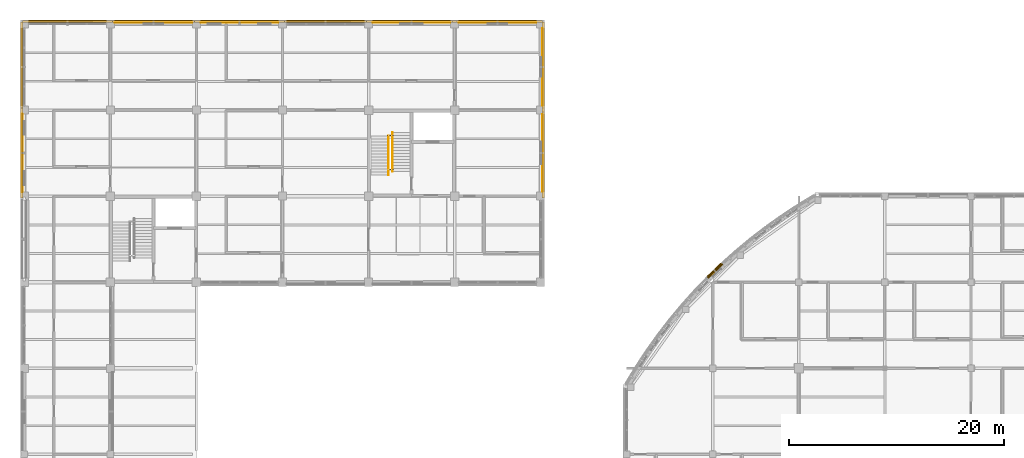
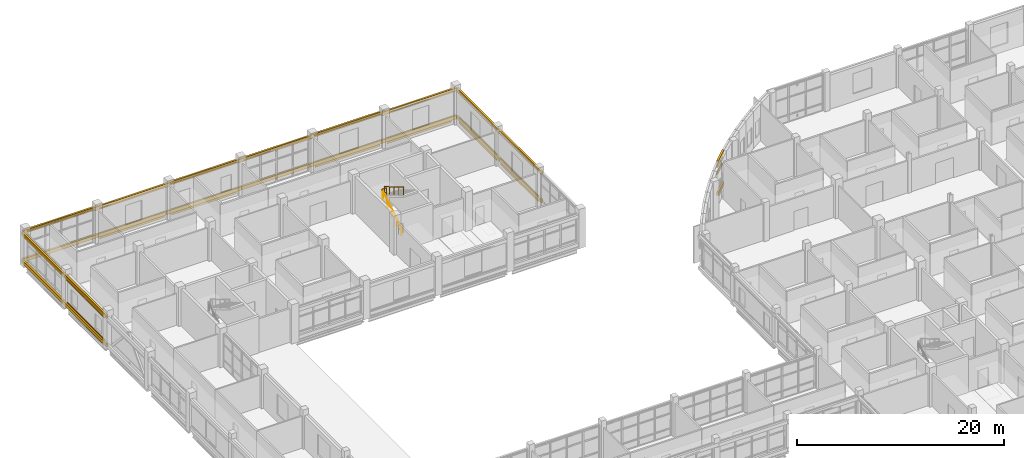
# One storey, part 116 of 121: 29 coverings, 13 shading devices, 4 railings.
"""IFC4 building model written with IfcOpenShell, lengths in metres."""

from ifc_helpers import new_model, si_unit, derived_unit, direction, frame, origin, origin_2d, place, context, subcontext, project, spatial, rectangle, circle, extrude, material, layer, layer_set, material_profile, profile_set, type_object, element, save


model = new_model("IFC4")

# Units and contexts
model_context = context("Model", 3, precision=1e-05, world=origin(), true_north=direction((0.0, 1.0)))
body_context = subcontext(model_context, "Body", "Model", "MODEL_VIEW")
ifc_project = project(units=[si_unit("LENGTHUNIT", "METRE"), si_unit("AREAUNIT", "SQUARE_METRE"), si_unit("VOLUMEUNIT", "CUBIC_METRE"), si_unit("PLANEANGLEUNIT", "RADIAN"), si_unit("MASSUNIT", "GRAM", prefix="KILO"), derived_unit("THERMALTRANSMITTANCEUNIT", [(si_unit("MASSUNIT", "GRAM", prefix="KILO"), 1), (si_unit("TIMEUNIT", "SECOND"), -3), (si_unit("THERMODYNAMICTEMPERATUREUNIT", "KELVIN"), -1)])], contexts=[model_context])

# Site, building, storey
site_placement = place(None, origin())
site = spatial("IfcSite", under=ifc_project, at=site_placement, CompositionType="ELEMENT")
building_placement = place(site_placement, origin())
building = spatial("IfcBuilding", under=site, at=building_placement, Name="Veyamyaing Civic Hall", CompositionType="ELEMENT")
storey_placement = place(building_placement, frame((0.0, 0.0, 5.280029296875)))
storey = spatial("IfcBuildingStorey", under=building, at=storey_placement, Name="L01", CompositionType="ELEMENT", Elevation=5.280029296875)

# Coverings
ifc_material_1 = material(Name="Buff sandstone ashlar cladding", Category="masonry")
ifc_layer_1 = layer(ifc_material_1, 0.050048828125, Name="Buff sandstone ashlar cladding")
ifc_layer_set_1 = layer_set([ifc_layer_1], Name="Buff sandstone ashlar cladding")
covering_type_1 = type_object("IfcCoveringType", Name="CL-01", PredefinedType="CLADDING", material=ifc_layer_set_1)
for number, where, z_axis, x_axis, name in (
    (1, (-0.160888671875, 100.0, 0.044921875), (0.0, 0.0, 1.0), (0.0, 1.0, 0.0), "Facade spandrel cladding CL-01 L01 W 1.13"),
    (2, (12.0, 112.160888671875, 0.044921875), (0.0, 0.0, 1.0), (1.0, 0.0, 0.0), "Facade spandrel cladding CL-01 L01 N 2.14"),
    (3, (20.0, 112.160888671875, 0.044921875), (0.0, 0.0, 1.0), (1.0, 0.0, 0.0), "Facade spandrel cladding CL-01 L01 N 3.14"),
    (4, (36.0, 112.160888671875, 0.044921875), (0.0, 0.0, 1.0), (1.0, 0.0, 0.0), "Facade spandrel cladding CL-01 L01 N 5.14"),
    (5, (48.160888671875, 100.0, 0.044921875), (0.0, 0.0, 1.0), (0.0, 1.0, 0.0), "Facade spandrel cladding CL-01 L01 E 6.13"),
    (6, (44.0, 112.160888671875, 0.044921875), (0.0, 0.0, 1.0), (1.0, 0.0, 0.0), "Facade spandrel cladding CL-01 L01 N 6.14"),
    (7, (48.160888671875, 108.0, 0.044921875), (0.0, 0.0, 1.0), (0.0, 1.0, 0.0), "Facade spandrel cladding CL-01 L01 E 6.14"),
):
    element("IfcCovering", number, at=place(storey_placement, frame(where, z_axis=z_axis, x_axis=x_axis)), inside=storey, type_object=covering_type_1, Name=name, PredefinedType="CLADDING", context=body_context, shape_type="SweptSolid", body=[
        extrude(rectangle(XDim=7.199951171875, YDim=0.050048828125, at=origin_2d()), origin(), (0.0, 0.0, 1.0), 0.75),
    ])
ifc_material_2 = material(Name="White powder-coated aluminium 6063-T6", Category="aluminium")
ifc_layer_2 = layer(ifc_material_2, 0.2099609375, Name="White powder-coated aluminium 6063-T6")
ifc_layer_set_2 = layer_set([ifc_layer_2], Name="White powder-coated aluminium 6063-T6")
covering_type_2 = type_object("IfcCoveringType", Name="CL-03", PredefinedType="CLADDING", material=ifc_layer_set_2)
for number, where, z_axis, x_axis, name in (
    (8, (64.218994140625, 89.05224609375, 0.27001953125), (0.0, 0.0, 1.0), (-0.720205321688, -0.693760978012, 0.0), "Continuous white corner ribbon CL-03 L01 NW.7.1"),
    (9, (64.218994140625, 89.05224609375, 3.945068359375), (0.0, 0.0, 1.0), (-0.720205321688, -0.693760978012, 0.0), "Continuous white corner ribbon CL-03 L01 NW.7.2"),
):
    element("IfcCovering", number, at=place(storey_placement, frame(where, z_axis=z_axis, x_axis=x_axis)), inside=storey, type_object=covering_type_2, Name=name, PredefinedType="CLADDING", context=body_context, shape_type="SweptSolid", body=[
        extrude(rectangle(XDim=1.93505859375, YDim=0.2099609375, at=origin_2d()), origin(), (0.0, 0.0, 1.0), 0.419921875),
    ])
for number, where, z_axis, x_axis, name in (
    (10, (-0.239990234375, 100.0, 3.593994140625), (0.0, 0.0, 1.0), (0.0, 1.0, 0.0), "Continuous white head fascia ribbon CL-03 L01 W 1.13"),
    (11, (-0.239990234375, 100.0, 0.280029296875), (0.0, 0.0, 1.0), (0.0, 1.0, 0.0), "Continuous white sill fascia ribbon CL-03 L01 W 1.13"),
    (12, (4.0, 112.239990234375, 3.596923828125), (0.0, 0.0, 1.0), (1.0, 0.0, 0.0), "Continuous white head fascia ribbon CL-03 L01 N 1.14"),
    (13, (4.0, 112.239990234375, 0.280029296875), (0.0, 0.0, 1.0), (1.0, 0.0, 0.0), "Continuous white sill fascia ribbon CL-03 L01 N 1.14"),
    (14, (-0.239990234375, 108.0, 3.533935546875), (0.0, 0.0, 1.0), (0.0, 1.0, 0.0), "Continuous white head fascia ribbon CL-03 L01 W 1.14"),
    (15, (-0.239990234375, 108.0, 0.280029296875), (0.0, 0.0, 1.0), (0.0, 1.0, 0.0), "Continuous white sill fascia ribbon CL-03 L01 W 1.14"),
    (16, (12.0, 112.239990234375, 3.530029296875), (0.0, 0.0, 1.0), (1.0, 0.0, 0.0), "Continuous white head fascia ribbon CL-03 L01 N 2.14"),
    (17, (12.0, 112.239990234375, 0.280029296875), (0.0, 0.0, 1.0), (1.0, 0.0, 0.0), "Continuous white sill fascia ribbon CL-03 L01 N 2.14"),
    (18, (20.0, 112.239990234375, 3.593994140625), (0.0, 0.0, 1.0), (1.0, 0.0, 0.0), "Continuous white head fascia ribbon CL-03 L01 N 3.14"),
    (19, (20.0, 112.239990234375, 0.280029296875), (0.0, 0.0, 1.0), (1.0, 0.0, 0.0), "Continuous white sill fascia ribbon CL-03 L01 N 3.14"),
    (20, (28.0, 112.239990234375, 3.5791015625), (0.0, 0.0, 1.0), (1.0, 0.0, 0.0), "Continuous white head fascia ribbon CL-03 L01 N 4.14"),
    (21, (28.0, 112.239990234375, 0.280029296875), (0.0, 0.0, 1.0), (1.0, 0.0, 0.0), "Continuous white sill fascia ribbon CL-03 L01 N 4.14"),
    (22, (36.0, 112.239990234375, 3.64208984375), (0.0, 0.0, 1.0), (1.0, 0.0, 0.0), "Continuous white head fascia ribbon CL-03 L01 N 5.14"),
    (23, (36.0, 112.239990234375, 0.280029296875), (0.0, 0.0, 1.0), (1.0, 0.0, 0.0), "Continuous white sill fascia ribbon CL-03 L01 N 5.14"),
    (24, (48.239990234375, 100.0, 3.596923828125), (0.0, 0.0, 1.0), (0.0, 1.0, 0.0), "Continuous white head fascia ribbon CL-03 L01 E 6.13"),
    (25, (48.239990234375, 100.0, 0.280029296875), (0.0, 0.0, 1.0), (0.0, 1.0, 0.0), "Continuous white sill fascia ribbon CL-03 L01 E 6.13"),
    (26, (44.0, 112.239990234375, 3.530029296875), (0.0, 0.0, 1.0), (1.0, 0.0, 0.0), "Continuous white head fascia ribbon CL-03 L01 N 6.14"),
    (27, (44.0, 112.239990234375, 0.280029296875), (0.0, 0.0, 1.0), (1.0, 0.0, 0.0), "Continuous white sill fascia ribbon CL-03 L01 N 6.14"),
    (28, (48.239990234375, 108.0, 3.530029296875), (0.0, 0.0, 1.0), (0.0, 1.0, 0.0), "Continuous white head fascia ribbon CL-03 L01 E 6.14"),
    (29, (48.239990234375, 108.0, 0.280029296875), (0.0, 0.0, 1.0), (0.0, 1.0, 0.0), "Continuous white sill fascia ribbon CL-03 L01 E 6.14"),
):
    element("IfcCovering", number, at=place(storey_placement, frame(where, z_axis=z_axis, x_axis=x_axis)), inside=storey, type_object=covering_type_2, Name=name, PredefinedType="CLADDING", context=body_context, shape_type="SweptSolid", body=[
        extrude(rectangle(XDim=8.360107421875, YDim=0.2099609375, at=origin_2d()), origin(), (0.0, 0.0, 1.0), 0.39990234375),
    ])

# Shading device
ifc_material_3 = material(Name="Anodised aluminium 6063-T6", Category="aluminium")
ifc_material_profile_1 = material_profile(ifc_material_3, rectangle(XDim=0.050048828125, YDim=0.25, at=origin_2d()), Name="LOUVRE-BLADE-50X250")
ifc_profile_set_1 = profile_set([ifc_material_profile_1], Name="Anodised aluminium 6063-T6")
shading_device_type_1 = type_object("IfcShadingDeviceType", Name="LV-01", PredefinedType="JALOUSIE", material=ifc_profile_set_1)
shading_device_placement = place(storey_placement, frame((-0.219970703125, 96.360107421875, 3.424072265625), z_axis=(0.0, 1.0, 0.0), x_axis=(-1.0, 0.0, 0.0)))
element("IfcShadingDevice", 30, at=shading_device_placement, inside=storey, type_object=shading_device_type_1, Name="Monsoon solar louvre LV-01 L01 W 1.13", PredefinedType="JALOUSIE", context=body_context, shape_type="SweptSolid", body=[
    extrude(rectangle(XDim=0.050048828125, YDim=0.25, at=origin_2d()), origin(), (0.0, 0.0, 1.0), 7.27978515625),
])

# Railings
ifc_material_4 = material(Name="Steel S355J2", Category="steel")
railing_type_1 = type_object("IfcRailingType", Name="RL-01", PredefinedType="BALUSTRADE", material=ifc_material_4)
railing_1_placement = place(storey_placement, frame((33.780029296875, 101.6298828125, 2.31005859375)))
element("IfcRailing", 31, at=railing_1_placement, inside=storey, type_object=railing_type_1, Name="Half-landing slot guard RL-01 ST-02 L01", PredefinedType="BALUSTRADE", context=body_context, shape_type="SweptSolid", body=[
    extrude(circle(Radius=0.02392578125, at=origin_2d()), frame((0.0, 0.0, 1.076171875), z_axis=(1.0, 0.0, 0.0), x_axis=(0.0, 1.0, 0.0)), (0.0, 0.0, 1.0), 0.489990234375),
    extrude(circle(Radius=0.01416015625, at=origin_2d()), frame((0.0, 0.0, 0.572021484375), z_axis=(1.0, 0.0, 0.0), x_axis=(0.0, 1.0, 0.0)), (0.0, 0.0, 1.0), 0.489990234375),
    extrude(circle(Radius=0.02099609375, at=origin_2d()), origin(), (0.0, 0.0, 1.0), 1.052001953125),
    extrude(circle(Radius=0.02099609375, at=origin_2d()), frame((0.489990234375, 0.0, 0.0)), (0.0, 0.0, 1.0), 1.052001953125),
])
railing_2_placement = place(storey_placement, frame((33.800048828125, 98.47998046875, 0.0)))
element("IfcRailing", 32, at=railing_2_placement, inside=storey, type_object=railing_type_1, Name="Floor-landing slot guard RL-01 ST-02 L01", PredefinedType="BALUSTRADE", context=body_context, shape_type="SweptSolid", body=[
    extrude(circle(Radius=0.02392578125, at=origin_2d()), frame((0.0, 0.0, 1.076171875), z_axis=(1.0, 0.0, 0.0), x_axis=(0.0, 1.0, 0.0)), (0.0, 0.0, 1.0), 0.469970703125),
    extrude(circle(Radius=0.01416015625, at=origin_2d()), frame((0.0, 0.0, 0.572021484375), z_axis=(1.0, 0.0, 0.0), x_axis=(0.0, 1.0, 0.0)), (0.0, 0.0, 1.0), 0.469970703125),
    extrude(circle(Radius=0.02099609375, at=origin_2d()), origin(), (0.0, 0.0, 1.0), 1.052001953125),
    extrude(circle(Radius=0.02099609375, at=origin_2d()), frame((0.469970703125, 0.0, 0.0)), (0.0, 0.0, 1.0), 1.052001953125),
])
railing_type_2 = type_object("IfcRailingType", Name="RL-02", PredefinedType="HANDRAIL", material=ifc_material_4)
railing_3_placement = place(storey_placement, frame((33.840087890625, 97.949951171875, 0.1650390625)))
element("IfcRailing", 33, at=railing_3_placement, inside=storey, type_object=railing_type_2, Name="Stair pitch handrail RL-02 ST-02 L01.1", PredefinedType="HANDRAIL", context=body_context, shape_type="SweptSolid", body=[
    extrude(circle(Radius=0.02392578125, at=origin_2d()), frame((0.0, 0.0, 0.89599609375), z_axis=(0.0, 0.861544779993, 0.507681585313), x_axis=(-1.0, 0.0, 0.0)), (0.0, 0.0, 1.0), 4.22509765625),
    extrude(circle(Radius=0.02099609375, at=origin_2d()), origin(), (0.0, 0.0, 1.0), 0.871826171875),
    extrude(circle(Radius=0.02099609375, at=origin_2d()), frame((0.0, 0.91015625, 0.5361328125)), (0.0, 0.0, 1.0), 0.871826171875),
    extrude(circle(Radius=0.02099609375, at=origin_2d()), frame((0.0, 1.820068359375, 1.072509765625)), (0.0, 0.0, 1.0), 0.871826171875),
    extrude(circle(Radius=0.02099609375, at=origin_2d()), frame((0.0, 2.72998046875, 1.60888671875)), (0.0, 0.0, 1.0), 0.871826171875),
    extrude(circle(Radius=0.02099609375, at=origin_2d()), frame((0.0, 3.64013671875, 2.14501953125)), (0.0, 0.0, 1.0), 0.871826171875),
])
railing_4_placement = place(storey_placement, frame((34.219970703125, 101.909912109375, 2.474853515625)))
element("IfcRailing", 34, at=railing_4_placement, inside=storey, type_object=railing_type_2, Name="Stair pitch handrail RL-02 ST-02 L01.2", PredefinedType="HANDRAIL", context=body_context, shape_type="SweptSolid", body=[
    extrude(circle(Radius=0.02392578125, at=origin_2d()), frame((0.0, 0.0, 0.89599609375), z_axis=(0.0, -0.861529885852, 0.507706860091), x_axis=(1.0, 0.0, 0.0)), (0.0, 0.0, 1.0), 4.224853515625),
    extrude(circle(Radius=0.02099609375, at=origin_2d()), origin(), (0.0, 0.0, 1.0), 0.871826171875),
    extrude(circle(Radius=0.02099609375, at=origin_2d()), frame((0.0, -0.909912109375, 0.5361328125)), (0.0, 0.0, 1.0), 0.871826171875),
    extrude(circle(Radius=0.02099609375, at=origin_2d()), frame((0.0, -1.81982421875, 1.072509765625)), (0.0, 0.0, 1.0), 0.871826171875),
    extrude(circle(Radius=0.02099609375, at=origin_2d()), frame((0.0, -2.72998046875, 1.60888671875)), (0.0, 0.0, 1.0), 0.871826171875),
    extrude(circle(Radius=0.02099609375, at=origin_2d()), frame((0.0, -3.639892578125, 2.14501953125)), (0.0, 0.0, 1.0), 0.871826171875),
])

# Shading devices
ifc_material_profile_2 = material_profile(ifc_material_2, circle(Radius=0.110107421875, at=origin_2d()), Name="SHADE-TUBE-220")
ifc_profile_set_2 = profile_set([ifc_material_profile_2], Name="White powder-coated aluminium 6063-T6")
shading_device_type_2 = type_object("IfcShadingDeviceType", Name="SH-01", PredefinedType="USERDEFINED", material=ifc_profile_set_2)
for number, where, z_axis, x_axis, name in (
    (35, (64.809814453125, 89.732421875, 2.75), (-0.720176733402, -0.693790654785, 0.0), (0.693790654785, -0.720176733402, 0.0), "White corner sunshade ribbon SH-01 L01 NW.7.1"),
    (36, (64.809814453125, 89.732421875, 3.550048828125), (-0.720176733402, -0.693790654785, 0.0), (0.693790654785, -0.720176733402, 0.0), "White corner sunshade ribbon SH-01 L01 NW.7.2"),
):
    element("IfcShadingDevice", number, at=place(storey_placement, frame(where, z_axis=z_axis, x_axis=x_axis)), inside=storey, type_object=shading_device_type_2, Name=name, ObjectType="SUNSHADE", PredefinedType="USERDEFINED", context=body_context, shape_type="SweptSolid", body=[
        extrude(circle(Radius=0.110107421875, at=origin_2d()), origin(), (0.0, 0.0, 1.0), 1.794921875),
    ])
ifc_material_profile_3 = material_profile(ifc_material_2, circle(Radius=0.090087890625, at=origin_2d()), Name="SHADE-TUBE-180")
ifc_profile_set_3 = profile_set([ifc_material_profile_3], Name="White powder-coated aluminium 6063-T6")
shading_device_type_3 = type_object("IfcShadingDeviceType", Name="SH-02", PredefinedType="USERDEFINED", material=ifc_profile_set_3)
for number, where, z_axis, x_axis, name in (
    (37, (-0.239990234375, 96.360107421875, 3.75390625), (0.0, 1.0, 0.0), (-1.0, 0.0, 0.0), "Horizontal white sunshade ribbon SH-02 L01 W 1.13"),
    (38, (0.360107421875, 112.239990234375, 3.757080078125), (1.0, 0.0, 0.0), (0.0, 1.0, 0.0), "Horizontal white sunshade ribbon SH-02 L01 N 1.14"),
    (39, (-0.239990234375, 104.360107421875, 3.694091796875), (0.0, 1.0, 0.0), (-1.0, 0.0, 0.0), "Horizontal white sunshade ribbon SH-02 L01 W 1.14"),
    (40, (8.360107421875, 112.239990234375, 3.68994140625), (1.0, 0.0, 0.0), (0.0, 1.0, 0.0), "Horizontal white sunshade ribbon SH-02 L01 N 2.14"),
    (41, (16.360107421875, 112.239990234375, 3.75390625), (1.0, 0.0, 0.0), (0.0, 1.0, 0.0), "Horizontal white sunshade ribbon SH-02 L01 N 3.14"),
    (42, (24.360107421875, 112.239990234375, 3.739013671875), (1.0, 0.0, 0.0), (0.0, 1.0, 0.0), "Horizontal white sunshade ribbon SH-02 L01 N 4.14"),
    (43, (32.360107421875, 112.239990234375, 3.802001953125), (1.0, 0.0, 0.0), (0.0, 1.0, 0.0), "Horizontal white sunshade ribbon SH-02 L01 N 5.14"),
    (44, (48.239990234375, 96.360107421875, 3.757080078125), (0.0, 1.0, 0.0), (-1.0, 0.0, 0.0), "Horizontal white sunshade ribbon SH-02 L01 E 6.13"),
    (45, (40.360107421875, 112.239990234375, 3.68994140625), (1.0, 0.0, 0.0), (0.0, 1.0, 0.0), "Horizontal white sunshade ribbon SH-02 L01 N 6.14"),
    (46, (48.239990234375, 104.360107421875, 3.68994140625), (0.0, 1.0, 0.0), (-1.0, 0.0, 0.0), "Horizontal white sunshade ribbon SH-02 L01 E 6.14"),
):
    element("IfcShadingDevice", number, at=place(storey_placement, frame(where, z_axis=z_axis, x_axis=x_axis)), inside=storey, type_object=shading_device_type_3, Name=name, ObjectType="SUNSHADE", PredefinedType="USERDEFINED", context=body_context, shape_type="SweptSolid", body=[
        extrude(circle(Radius=0.090087890625, at=origin_2d()), origin(), (0.0, 0.0, 1.0), 7.27978515625),
    ])

save(model, "model.ifc")
